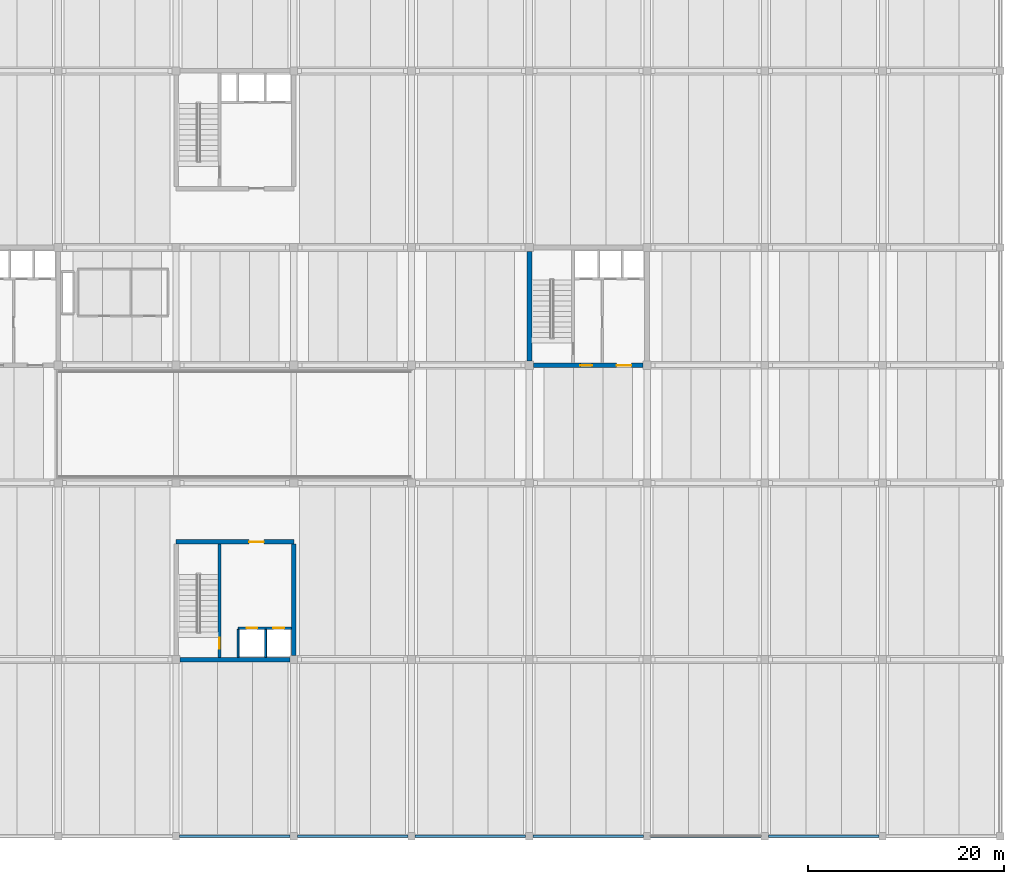
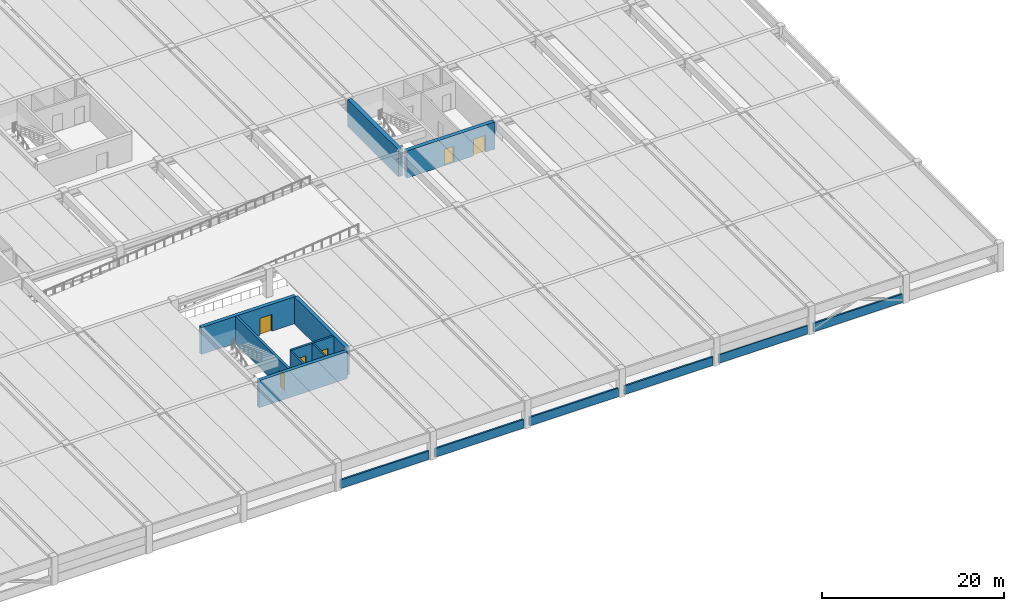
# One storey, part 7 of 14: 15 walls, 6 doors, 6 openings.
"""IFC4 building model written with IfcOpenShell, lengths in metres."""

from ifc_helpers import new_model, si_unit, direction, frame, frame_2d, origin, place, context, subcontext, project, spatial, rectangle, extrude, material, layer, layer_set, type_object, element, fill, save


model = new_model("IFC4")

# Units and contexts
model_context = context("Model", 3, precision=1e-05, world=origin(), true_north=direction((0.0, 1.0)))
body_context = subcontext(model_context, "Body", "Model", "MODEL_VIEW")
ifc_project = project(units=[si_unit("LENGTHUNIT", "METRE"), si_unit("AREAUNIT", "SQUARE_METRE"), si_unit("VOLUMEUNIT", "CUBIC_METRE"), si_unit("PLANEANGLEUNIT", "RADIAN"), si_unit("MASSUNIT", "GRAM", prefix="KILO")], contexts=[model_context])

# Site, building, storey
site_placement = place(None, origin())
site = spatial("IfcSite", under=ifc_project, at=site_placement, CompositionType="ELEMENT")
building_placement = place(site_placement, origin())
building = spatial("IfcBuilding", under=site, at=building_placement, Name="Girod Span Mobility Hub", CompositionType="ELEMENT")
storey_placement = place(building_placement, frame((0.0, 0.0, 24.800048828125)))
storey = spatial("IfcBuildingStorey", under=building, at=storey_placement, Name="L06", CompositionType="ELEMENT", Elevation=24.800048828125)

# Wall
ifc_material_1 = material(Name="Concrete C40/50", Category="concrete")
ifc_layer_1 = layer(ifc_material_1, 0.449951171875)
ifc_layer_set_1 = layer_set([ifc_layer_1], Name="Concrete C40/50")
wall_type_1 = type_object("IfcWallType", Name="W-CW-450", PredefinedType="SHEAR", material=ifc_layer_set_1)
wall_1_placement = place(storey_placement, frame((72.39697265625, 27.0, 0.0), z_axis=(0.0, 0.0, 1.0), x_axis=(1.0, 0.0, 0.0)))
element("IfcWall", 1, at=wall_1_placement, inside=storey, type_object=wall_type_1, Name="Core C3 Shear Wall S L06", PredefinedType="SHEAR", context=body_context, shape_type="SweptSolid", body=[
    extrude(rectangle(XDim=11.2060546875, YDim=0.449951171875, at=frame_2d((5.60302734375, 0.0))), origin(), (0.0, 0.0, 1.0), 3.6279296875),
])

# Wall, opening, door
wall_2_placement = place(storey_placement, frame((72.0, 39.0, 0.0), z_axis=(0.0, 0.0, 1.0), x_axis=(1.0, 0.0, 0.0)))
wall_2 = element("IfcWall", 2, at=wall_2_placement, inside=storey, type_object=wall_type_1, Name="Core C3 Shear Wall N L06", PredefinedType="SHEAR", context=body_context, shape_type="SweptSolid", body=[
    extrude(rectangle(XDim=12.0, YDim=0.449951171875, at=frame_2d((6.0, 0.0))), origin(), (0.0, 0.0, 1.0), 3.6279296875),
])
opening_1_placement = place(wall_2_placement, frame((7.449951171875, 0.0, 0.0)))
opening_1 = element("IfcOpeningElement", 3, at=opening_1_placement, cuts=wall_2, Name="Opening D-LB-C3-L06", PredefinedType="OPENING", context=body_context, shape_type="SweptSolid", body=[
    extrude(rectangle(XDim=1.5, YDim=2.25, at=frame_2d((0.75, 1.125))), frame((0.0, 0.239990234375, 0.0), z_axis=(0.0, -1.0, 0.0), x_axis=(1.0, 0.0, 0.0)), (0.0, 0.0, 1.0), 0.47998046875),
])
ifc_material_2 = material(Name="Fire-Rated Insulated Hollow Metal Steel", Category="steel")
door_type_1 = type_object("IfcDoorType", Name="DT-FD-03", OperationType="DOUBLE_DOOR_SINGLE_SWING", PredefinedType="DOOR", material=ifc_material_2)
door_1_placement = place(opening_1_placement, origin())
door_1 = element("IfcDoor", 4, at=door_1_placement, inside=storey, type_object=door_type_1, Name="Core C3 Lobby Door L06", OperationType="DOUBLE_DOOR_SINGLE_SWING", OverallHeight=2.25, OverallWidth=1.5, PredefinedType="DOOR", context=body_context, shape_type="SweptSolid", body=[
    extrude(rectangle(XDim=1.5, YDim=2.25, at=frame_2d((0.75, 1.125))), frame((0.0, 0.02490234375, 0.0), z_axis=(0.0, -1.0, 0.0), x_axis=(1.0, 0.0, 0.0)), (0.0, 0.0, 1.0), 0.050048828125),
])
fill(opening_1, door_1)

# Wall
wall_3_placement = place(storey_placement, frame((84.0, 27.39697265625, 0.0), z_axis=(0.0, 0.0, 1.0), x_axis=(0.0, 1.0, 0.0)))
element("IfcWall", 5, at=wall_3_placement, inside=storey, type_object=wall_type_1, Name="Core C3 Shear Wall E L06", PredefinedType="SHEAR", context=body_context, shape_type="SweptSolid", body=[
    extrude(rectangle(XDim=11.381103515625, YDim=0.449951171875, at=frame_2d((5.6904296875, 0.0))), origin(), (0.0, 0.0, 1.0), 3.6279296875),
])

# Wall, openings, doors
ifc_material_3 = material(Name="Concrete C40/50", Category="concrete")
ifc_layer_2 = layer(ifc_material_3, 0.5)
ifc_layer_set_2 = layer_set([ifc_layer_2], Name="Concrete C40/50")
wall_type_2 = type_object("IfcWallType", Name="W-CW-500", PredefinedType="SHEAR", material=ifc_layer_set_2)
wall_4_placement = place(storey_placement, frame((108.422119140625, 57.0, 0.0), z_axis=(0.0, 0.0, 1.0), x_axis=(1.0, 0.0, 0.0)))
wall_4 = element("IfcWall", 6, at=wall_4_placement, inside=storey, type_object=wall_type_2, Name="Core C2 Shear Wall S L06", PredefinedType="SHEAR", context=body_context, shape_type="SweptSolid", body=[
    extrude(rectangle(XDim=11.15576171875, YDim=0.5, at=frame_2d((5.577880859375, 0.0))), origin(), (0.0, 0.0, 1.0), 3.6279296875),
])
opening_2_placement = place(wall_4_placement, frame((4.778076171875, 0.0, 0.0)))
opening_2 = element("IfcOpeningElement", 7, at=opening_2_placement, cuts=wall_4, Name="Opening D-FL-C2-L06", PredefinedType="OPENING", context=body_context, shape_type="SweptSolid", body=[
    extrude(rectangle(XDim=1.199951171875, YDim=2.199951171875, at=frame_2d((0.60009765625, 1.10009765625))), frame((0.0, 0.264892578125, 0.0), z_axis=(0.0, -1.0, 0.0), x_axis=(1.0, 0.0, 0.0)), (0.0, 0.0, 1.0), 0.530029296875),
])
opening_3_placement = place(wall_4_placement, frame((8.47802734375, 0.0, 0.0)))
opening_3 = element("IfcOpeningElement", 8, at=opening_3_placement, cuts=wall_4, Name="Opening D-LB-C2-L06", PredefinedType="OPENING", context=body_context, shape_type="SweptSolid", body=[
    extrude(rectangle(XDim=1.5, YDim=2.25, at=frame_2d((0.75, 1.125))), frame((0.0, 0.264892578125, 0.0), z_axis=(0.0, -1.0, 0.0), x_axis=(1.0, 0.0, 0.0)), (0.0, 0.0, 1.0), 0.530029296875),
])
door_2_placement = place(opening_3_placement, origin())
door_2 = element("IfcDoor", 9, at=door_2_placement, inside=storey, type_object=door_type_1, Name="Lift Lobby Entry Door C2 L06", OperationType="DOUBLE_DOOR_SINGLE_SWING", OverallHeight=2.25, OverallWidth=1.5, PredefinedType="DOOR", context=body_context, shape_type="SweptSolid", body=[
    extrude(rectangle(XDim=1.5, YDim=2.25, at=frame_2d((0.75, 1.125))), frame((0.0, 0.02490234375, 0.0), z_axis=(0.0, -1.0, 0.0), x_axis=(1.0, 0.0, 0.0)), (0.0, 0.0, 1.0), 0.050048828125),
])
fill(opening_3, door_2)
ifc_material_4 = material(Name="Fire-Rated Insulated Hollow Metal Steel", Category="steel")
door_type_2 = type_object("IfcDoorType", Name="DT-FD-05", OperationType="NOTDEFINED", PredefinedType="DOOR", material=ifc_material_4)
door_3_placement = place(opening_2_placement, origin())
door_3 = element("IfcDoor", 10, at=door_3_placement, inside=storey, type_object=door_type_2, Name="Firefighting Lobby Entry Door C2 L06", OperationType="SINGLE_SWING_RIGHT", OverallHeight=2.199951171875, OverallWidth=1.199951171875, PredefinedType="DOOR", context=body_context, shape_type="SweptSolid", body=[
    extrude(rectangle(XDim=1.199951171875, YDim=2.199951171875, at=frame_2d((0.60009765625, 1.10009765625))), frame((0.0, 0.02490234375, 0.0), z_axis=(0.0, -1.0, 0.0), x_axis=(1.0, 0.0, 0.0)), (0.0, 0.0, 1.0), 0.050048828125),
])
fill(opening_2, door_3)

# Walls
wall_5_placement = place(storey_placement, frame((108.0, 57.422119140625, 0.0), z_axis=(0.0, 0.0, 1.0), x_axis=(0.0, 1.0, 0.0)))
element("IfcWall", 11, at=wall_5_placement, inside=storey, type_object=wall_type_2, Name="Core C2 Shear Wall W L06", PredefinedType="SHEAR", context=body_context, shape_type="SweptSolid", body=[
    extrude(rectangle(XDim=11.15576171875, YDim=0.5, at=frame_2d((5.577880859375, 0.0))), origin(), (0.0, 0.0, 1.0), 3.6279296875),
])
ifc_material_5 = material(Name="Precast Architectural Concrete C40/50", Category="concrete")
ifc_layer_3 = layer(ifc_material_5, 0.215087890625)
ifc_layer_set_3 = layer_set([ifc_layer_3], Name="Precast Architectural Concrete C40/50")
wall_type_3 = type_object("IfcWallType", Name="W-PAR-215", PredefinedType="PARAPET", material=ifc_layer_set_3)
for number, where, z_axis, x_axis, name in (
    (12, (72.373046875, 9.0, 0.0), (0.0, 0.0, 1.0), (1.0, 0.0, 0.0), "Precast Parking Barrier Parapet S-7 L06"),
    (13, (84.373046875, 9.0, 0.0), (0.0, 0.0, 1.0), (1.0, 0.0, 0.0), "Precast Parking Barrier Parapet S-8 L06"),
    (14, (96.373046875, 9.0, 0.0), (0.0, 0.0, 1.0), (1.0, 0.0, 0.0), "Precast Parking Barrier Parapet S-9 L06"),
    (15, (108.373046875, 9.0, 0.0), (0.0, 0.0, 1.0), (1.0, 0.0, 0.0), "Precast Parking Barrier Parapet S-10 L06"),
    (16, (120.373046875, 9.0, 0.0), (0.0, 0.0, 1.0), (1.0, 0.0, 0.0), "Precast Parking Barrier Parapet S-11 L06"),
    (17, (132.373046875, 9.0, 0.0), (0.0, 0.0, 1.0), (1.0, 0.0, 0.0), "Precast Parking Barrier Parapet S-12 L06"),
):
    element("IfcWall", number, at=place(storey_placement, frame(where, z_axis=z_axis, x_axis=x_axis)), inside=storey, type_object=wall_type_3, Name=name, PredefinedType="PARAPET", context=body_context, shape_type="SweptSolid", body=[
        extrude(rectangle(XDim=11.25390625, YDim=0.215087890625, at=frame_2d((5.626953125, 0.0))), origin(), (0.0, 0.0, 1.0), 1.14990234375),
    ])
ifc_material_6 = material(Name="Concrete C40/50", Category="concrete")
ifc_layer_4 = layer(ifc_material_6, 0.199951171875)
ifc_layer_set_4 = layer_set([ifc_layer_4], Name="Concrete C40/50")
wall_type_4 = type_object("IfcWallType", Name="W-SH-200", PredefinedType="SOLIDWALL", material=ifc_layer_set_4)
for number, where, z_axis, x_axis, name in (
    (18, (78.320068359375, 27.22509765625, 0.0), (0.0, 0.0, 1.0), (0.0, 1.0, 0.0), "Core C3 Shaft Divider 1 L06"),
    (19, (81.1201171875, 27.22509765625, 0.0), (0.0, 0.0, 1.0), (0.0, 1.0, 0.0), "Core C3 Shaft Divider 2 L06"),
):
    element("IfcWall", number, at=place(storey_placement, frame(where, z_axis=z_axis, x_axis=x_axis)), inside=storey, type_object=wall_type_4, Name=name, PredefinedType="SOLIDWALL", context=body_context, shape_type="SweptSolid", body=[
        extrude(rectangle(XDim=2.85498046875, YDim=0.199951171875, at=frame_2d((1.427490234375, 0.0))), origin(), (0.0, 0.0, 1.0), 3.617919921875),
    ])

# Wall, openings, doors
ifc_material_7 = material(Name="Concrete C40/50", Category="concrete")
ifc_layer_5 = layer(ifc_material_7, 0.25)
ifc_layer_set_5 = layer_set([ifc_layer_5], Name="Concrete C40/50")
wall_type_5 = type_object("IfcWallType", Name="W-SH-250", PredefinedType="SOLIDWALL", material=ifc_layer_set_5)
wall_6_placement = place(storey_placement, frame((78.320068359375, 30.199951171875, 0.0), z_axis=(0.0, 0.0, 1.0), x_axis=(1.0, 0.0, 0.0)))
wall_6 = element("IfcWall", 20, at=wall_6_placement, inside=storey, type_object=wall_type_5, Name="Core C3 Hoistway Front Wall L06", PredefinedType="SOLIDWALL", context=body_context, shape_type="SweptSolid", body=[
    extrude(rectangle(XDim=5.4580078125, YDim=0.25, at=frame_2d((2.72900390625, 0.0))), origin(), (0.0, 0.0, 1.0), 3.6279296875),
])
opening_4_placement = place(wall_6_placement, frame((0.860107421875, 0.0, 0.0)))
opening_4 = element("IfcOpeningElement", 21, at=opening_4_placement, cuts=wall_6, Name="Opening LD-LP-5-L06", PredefinedType="OPENING", context=body_context, shape_type="SweptSolid", body=[
    extrude(rectangle(XDim=1.080078125, YDim=2.219970703125, at=frame_2d((0.5400390625, 1.10986328125))), frame((0.0, 0.139892578125, 0.0), z_axis=(0.0, -1.0, 0.0), x_axis=(1.0, 0.0, 0.0)), (0.0, 0.0, 1.0), 0.280029296875),
])
opening_5_placement = place(wall_6_placement, frame((3.610107421875, 0.0, 0.0)))
opening_5 = element("IfcOpeningElement", 22, at=opening_5_placement, cuts=wall_6, Name="Opening LD-LP-6-L06", PredefinedType="OPENING", context=body_context, shape_type="SweptSolid", body=[
    extrude(rectangle(XDim=1.080078125, YDim=2.219970703125, at=frame_2d((0.5400390625, 1.10986328125))), frame((0.0, 0.139892578125, 0.0), z_axis=(0.0, -1.0, 0.0), x_axis=(1.0, 0.0, 0.0)), (0.0, 0.0, 1.0), 0.280029296875),
])
ifc_material_8 = material(Name="Brushed Stainless Steel Grade 304", Category="steel")
door_type_3 = type_object("IfcDoorType", Name="LD-LP-108", OperationType="SLIDING_TO_LEFT", PredefinedType="USERDEFINED", material=ifc_material_8)
door_4_placement = place(opening_4_placement, origin())
door_4 = element("IfcDoor", 23, at=door_4_placement, inside=storey, type_object=door_type_3, Name="Lift LP-5 Sliding Landing Door L06", ObjectType="LANDING DOOR", OperationType="SLIDING_TO_LEFT", OverallHeight=2.219970703125, OverallWidth=1.080078125, PredefinedType="USERDEFINED", context=body_context, shape_type="SweptSolid", body=[
    extrude(rectangle(XDim=1.080078125, YDim=2.219970703125, at=frame_2d((0.5400390625, 1.10986328125))), frame((0.0, 0.02490234375, 0.0), z_axis=(0.0, -1.0, 0.0), x_axis=(1.0, 0.0, 0.0)), (0.0, 0.0, 1.0), 0.050048828125),
])
fill(opening_4, door_4)
door_5_placement = place(opening_5_placement, origin())
door_5 = element("IfcDoor", 24, at=door_5_placement, inside=storey, type_object=door_type_3, Name="Lift LP-6 Sliding Landing Door L06", ObjectType="LANDING DOOR", OperationType="SLIDING_TO_LEFT", OverallHeight=2.219970703125, OverallWidth=1.080078125, PredefinedType="USERDEFINED", context=body_context, shape_type="SweptSolid", body=[
    extrude(rectangle(XDim=1.080078125, YDim=2.219970703125, at=frame_2d((0.5400390625, 1.10986328125))), frame((0.0, 0.02490234375, 0.0), z_axis=(0.0, -1.0, 0.0), x_axis=(1.0, 0.0, 0.0)), (0.0, 0.0, 1.0), 0.050048828125),
])
fill(opening_5, door_5)

# Wall, opening, door
ifc_material_9 = material(Name="Concrete C40/50", Category="concrete")
ifc_layer_6 = layer(ifc_material_9, 0.300048828125)
ifc_layer_set_6 = layer_set([ifc_layer_6], Name="Concrete C40/50")
wall_type_6 = type_object("IfcWallType", Name="W-SH-300", PredefinedType="SHEAR", material=ifc_layer_set_6)
wall_7_placement = place(storey_placement, frame((76.449951171875, 27.221923828125, 0.0), z_axis=(0.0, 0.0, 1.0), x_axis=(0.0, 1.0, 0.0)))
wall_7 = element("IfcWall", 25, at=wall_7_placement, inside=storey, type_object=wall_type_6, Name="Core C3 Stairwell Spine Wall L06", PredefinedType="SHEAR", context=body_context, shape_type="SweptSolid", body=[
    extrude(rectangle(XDim=11.55615234375, YDim=0.300048828125, at=frame_2d((5.778076171875, 0.0))), origin(), (0.0, 0.0, 1.0), 3.6279296875),
])
opening_6_placement = place(wall_7_placement, frame((0.89990234375, 0.0, 0.0)))
opening_6 = element("IfcOpeningElement", 26, at=opening_6_placement, cuts=wall_7, Name="Opening D-ST-3-L06", PredefinedType="OPENING", context=body_context, shape_type="SweptSolid", body=[
    extrude(rectangle(XDim=1.10009765625, YDim=2.199951171875, at=frame_2d((0.550048828125, 1.10009765625))), frame((0.0, 0.1650390625, 0.0), z_axis=(0.0, -1.0, 0.0), x_axis=(1.0, 0.0, 0.0)), (0.0, 0.0, 1.0), 0.330078125),
])
ifc_material_10 = material(Name="Fire-Rated Insulated Hollow Metal Steel", Category="steel")
door_type_4 = type_object("IfcDoorType", Name="DT-FD-01", OperationType="NOTDEFINED", PredefinedType="DOOR", material=ifc_material_10)
door_6_placement = place(opening_6_placement, origin())
door_6 = element("IfcDoor", 27, at=door_6_placement, inside=storey, type_object=door_type_4, Name="Stair ST-3 Fire Door L06", OperationType="SINGLE_SWING_LEFT", OverallHeight=2.199951171875, OverallWidth=1.10009765625, PredefinedType="DOOR", context=body_context, shape_type="SweptSolid", body=[
    extrude(rectangle(XDim=1.10009765625, YDim=2.199951171875, at=frame_2d((0.550048828125, 1.10009765625))), frame((0.0, 0.02490234375, 0.0), z_axis=(0.0, -1.0, 0.0), x_axis=(1.0, 0.0, 0.0)), (0.0, 0.0, 1.0), 0.050048828125),
])
fill(opening_6, door_6)

save(model, "model.ifc")
